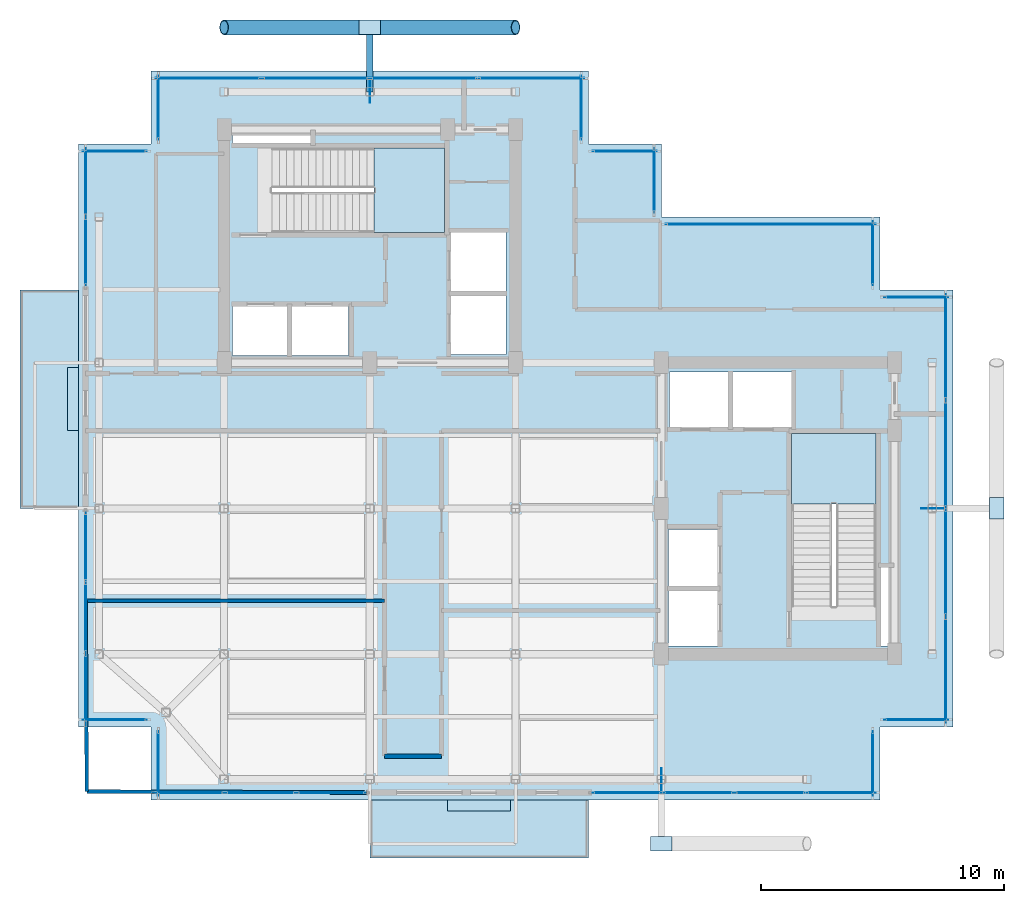
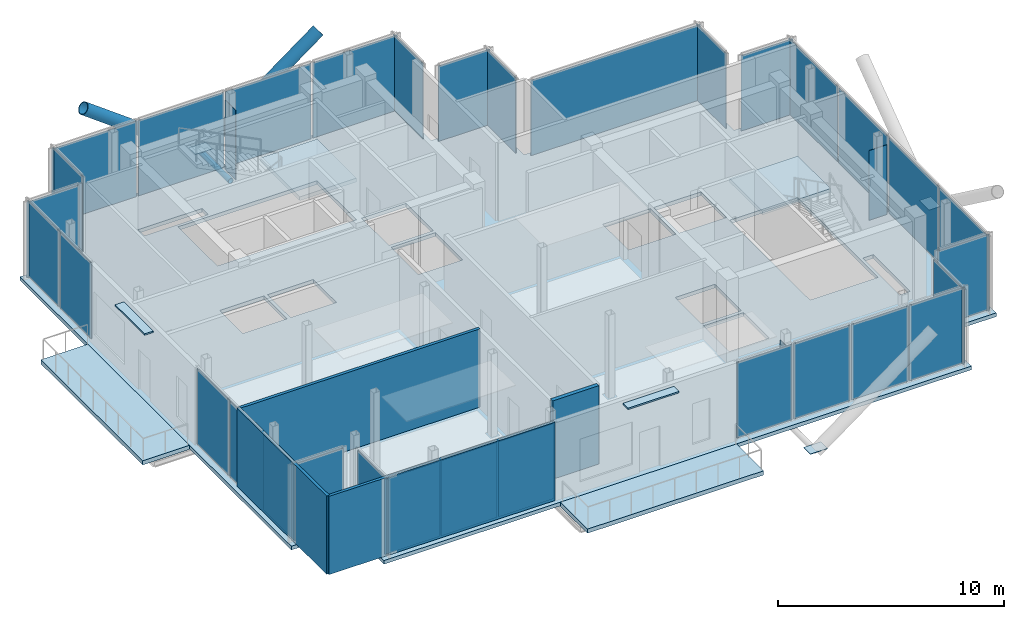
# One storey, part 11 of 16: 40 plates, 5 slabs, 4 walls, 3 members, 20 elements without a shape of their own.
"""IFC4 building model written with IfcOpenShell, lengths in metres."""

from ifc_helpers import new_model, si_unit, direction, frame, frame_2d, origin, origin_2d, place, context, subcontext, project, spatial, polyline, rectangle, hollow_circle, outline, extrude, material, layer, layer_set, material_profile, profile_set, type_object, element, aggregate, save


model = new_model("IFC4")

# Units and contexts
model_context = context("Model", 3, precision=1e-05, world=origin(), true_north=direction((0.0, 1.0)))
body_context = subcontext(model_context, "Body", "Model", "MODEL_VIEW")
ifc_project = project(units=[si_unit("LENGTHUNIT", "METRE"), si_unit("AREAUNIT", "SQUARE_METRE"), si_unit("VOLUMEUNIT", "CUBIC_METRE"), si_unit("PLANEANGLEUNIT", "RADIAN"), si_unit("MASSUNIT", "GRAM", prefix="KILO"), si_unit("THERMODYNAMICTEMPERATUREUNIT", "KELVIN"), si_unit("POWERUNIT", "WATT")], contexts=[model_context])

# Site, building, storey
site_placement = place(None, origin())
site = spatial("IfcSite", under=ifc_project, at=site_placement, CompositionType="ELEMENT")
building_placement = place(site_placement, origin())
building = spatial("IfcBuilding", under=site, at=building_placement, Name="Svarakhadi Broadcast Tower", CompositionType="ELEMENT")
storey_placement = place(building_placement, frame((0.0, 0.0, 296.39990234375)))
storey = spatial("IfcBuildingStorey", under=building, at=storey_placement, Name="L75", CompositionType="ELEMENT", Elevation=296.39990234375)

# Members
ifc_material_1 = material(Name="Steel S460ML (IS 2062 E450BR)", Category="steel")
ifc_material_profile_1 = material_profile(ifc_material_1, hollow_circle(Radius=0.304931640625, WallThickness=0.030029296875, at=origin_2d()), Name="CHS 610x30")
ifc_profile_set_1 = profile_set([ifc_material_profile_1], Name="Steel S460ML (IS 2062 E450BR)")
member_type_1 = type_object("IfcMemberType", Name="Exo_Brace_CHS610", PredefinedType="BRACE", material=ifc_profile_set_1)
for number, where, z_axis, x_axis, name in (
    (1, (12.0, 31.800048828125, -0.33642578125), (-0.804799780129, 0.0, 0.593546387323), (0.0, -1.0, 0.0), "L75 Exposed Bronze Exoskeleton Diagonal N04"),
    (2, (12.0, 31.800048828125, -0.33642578125), (0.804799780129, 0.0, 0.593546387323), (0.0, 1.0, 0.0), "L75 Exposed Bronze Exoskeleton Diagonal N05"),
):
    element("IfcMember", number, at=place(storey_placement, frame(where, z_axis=z_axis, x_axis=x_axis)), inside=storey, type_object=member_type_1, Name=name, PredefinedType="BRACE", context=body_context, shape_type="SweptSolid", body=[
        extrude(hollow_circle(Radius=0.304931640625, WallThickness=0.030029296875, at=origin_2d()), origin(), (0.0, 0.0, 1.0), 7.455322265625),
    ])
ifc_material_profile_2 = material_profile(ifc_material_1, hollow_circle(Radius=0.136474609375, WallThickness=0.012451171875, at=origin_2d()), Name="CHS 273x12.5")
ifc_profile_set_2 = profile_set([ifc_material_profile_2], Name="Steel S460ML (IS 2062 E450BR)")
member_type_2 = type_object("IfcMemberType", Name="Exo_Radial_Strut_Z3", PredefinedType="STRUT", material=ifc_profile_set_2)
member_placement = place(storey_placement, frame((12.0, 31.800048828125, -0.33642578125), z_axis=(0.0, -1.0, 0.0), x_axis=(1.0, 0.0, 0.0)))
element("IfcMember", 3, at=member_placement, inside=storey, type_object=member_type_2, Name="L75 Exoskeleton Radial Tie Strut N03", PredefinedType="STRUT", context=body_context, shape_type="SweptSolid", body=[
    extrude(hollow_circle(Radius=0.136474609375, WallThickness=0.012451171875, at=origin_2d()), origin(), (0.0, 0.0, 1.0), 2.650146484375),
])

# Curtain wall, plate
ifc_material_2 = material(Name="Anodised Bronze Aluminium AA 6063-T6", Category="aluminium")
ifc_layer_1 = layer(ifc_material_2, 0.239990234375)
ifc_layer_set_1 = layer_set([ifc_layer_1], Name="Anodised Bronze Aluminium AA 6063-T6")
curtain_wall_type = type_object("IfcCurtainWallType", Name="CW_Sys_06", PredefinedType="NOTDEFINED", material=ifc_layer_set_1)
curtain_wall_1_placement = place(storey_placement, origin())
curtain_wall_1 = element("IfcCurtainWall", 4, at=curtain_wall_1_placement, inside=storey, type_object=curtain_wall_type, Name="L75 Unitised Facade Curtain Wall 01", PredefinedType="NOTDEFINED")
ifc_material_3 = material(Name="Double Low-E Laminated Acoustic Glass IGU 36 mm", Category="glass")
ifc_layer_2 = layer(ifc_material_3, 0.0400390625)
ifc_layer_set_2 = layer_set([ifc_layer_2], Name="Double Low-E Laminated Acoustic Glass IGU 36 mm")
plate_type_1 = type_object("IfcPlateType", Name="CW_Sys_06_Pnl", PredefinedType="CURTAIN_PANEL", material=ifc_layer_set_2)
plate_1_placement = place(storey_placement, frame((1.5, 3.300048828125, 0.080078125), z_axis=(0.0, 0.0, 1.0), x_axis=(-1.0, 0.0, 0.0)))
plate_1 = element("IfcPlate", 5, at=plate_1_placement, type_object=plate_type_1, Name="CW-06 panel 1.1", PredefinedType="CURTAIN_PANEL", context=body_context, shape_type="SweptSolid", body=[
    extrude(rectangle(XDim=2.639892578125, YDim=0.0400390625, at=origin_2d()), origin(), (0.0, 0.0, 1.0), 4.06494140625),
])
aggregate(curtain_wall_1, [plate_1])

# Curtain wall, plates
curtain_wall_2_placement = place(storey_placement, origin())
curtain_wall_2 = element("IfcCurtainWall", 6, at=curtain_wall_2_placement, inside=storey, type_object=curtain_wall_type, Name="L75 West Curtain Wall 02", PredefinedType="NOTDEFINED")
plate_2_placement = place(storey_placement, frame((0.300048828125, 4.58251953125, 0.080078125), z_axis=(0.0, 0.0, 1.0), x_axis=(0.0, 1.0, 0.0)))
plate_2 = element("IfcPlate", 7, at=plate_2_placement, type_object=plate_type_1, Name="CW-06 panel 1.1", PredefinedType="CURTAIN_PANEL", context=body_context, shape_type="SweptSolid", body=[
    extrude(rectangle(XDim=2.804931640625, YDim=0.0400390625, at=origin_2d()), origin(), (0.0, 0.0, 1.0), 4.06494140625),
])
plate_3_placement = place(storey_placement, frame((0.300048828125, 7.5, 0.080078125), z_axis=(0.0, 0.0, 1.0), x_axis=(0.0, 1.0, 0.0)))
plate_3 = element("IfcPlate", 8, at=plate_3_placement, type_object=plate_type_1, Name="CW-06 panel 2.1", PredefinedType="CURTAIN_PANEL", context=body_context, shape_type="SweptSolid", body=[
    extrude(rectangle(XDim=2.85009765625, YDim=0.0400390625, at=origin_2d()), origin(), (0.0, 0.0, 1.0), 4.06494140625),
])
plate_4_placement = place(storey_placement, frame((0.300048828125, 10.41748046875, 0.080078125), z_axis=(0.0, 0.0, 1.0), x_axis=(0.0, 1.0, 0.0)))
plate_4 = element("IfcPlate", 9, at=plate_4_placement, type_object=plate_type_1, Name="CW-06 panel 3.1", PredefinedType="CURTAIN_PANEL", context=body_context, shape_type="SweptSolid", body=[
    extrude(rectangle(XDim=2.804931640625, YDim=0.0400390625, at=origin_2d()), origin(), (0.0, 0.0, 1.0), 4.06494140625),
])
aggregate(curtain_wall_2, [plate_2, plate_3, plate_4])

curtain_wall_3_placement = place(storey_placement, origin())
curtain_wall_3 = element("IfcCurtainWall", 10, at=curtain_wall_3_placement, inside=storey, type_object=curtain_wall_type, Name="L75 West Curtain Wall 03", PredefinedType="NOTDEFINED")
plate_5_placement = place(storey_placement, frame((0.300048828125, 22.5673828125, 0.080078125), z_axis=(0.0, 0.0, 1.0), x_axis=(0.0, 1.0, 0.0)))
plate_5 = element("IfcPlate", 11, at=plate_5_placement, type_object=plate_type_1, Name="CW-06 panel 1.1", PredefinedType="CURTAIN_PANEL", context=body_context, shape_type="SweptSolid", body=[
    extrude(rectangle(XDim=2.77490234375, YDim=0.0400390625, at=origin_2d()), origin(), (0.0, 0.0, 1.0), 4.06494140625),
])
plate_6_placement = place(storey_placement, frame((0.300048828125, 25.4326171875, 0.080078125), z_axis=(0.0, 0.0, 1.0), x_axis=(0.0, 1.0, 0.0)))
plate_6 = element("IfcPlate", 12, at=plate_6_placement, type_object=plate_type_1, Name="CW-06 panel 2.1", PredefinedType="CURTAIN_PANEL", context=body_context, shape_type="SweptSolid", body=[
    extrude(rectangle(XDim=2.77490234375, YDim=0.0400390625, at=origin_2d()), origin(), (0.0, 0.0, 1.0), 4.06494140625),
])
aggregate(curtain_wall_3, [plate_5, plate_6])

# Curtain wall, plate
curtain_wall_4_placement = place(storey_placement, origin())
curtain_wall_4 = element("IfcCurtainWall", 13, at=curtain_wall_4_placement, inside=storey, type_object=curtain_wall_type, Name="L75 Unitised Facade Curtain Wall 04", PredefinedType="NOTDEFINED")
plate_7_placement = place(storey_placement, frame((1.5, 26.699951171875, 0.080078125), z_axis=(0.0, 0.0, 1.0), x_axis=(1.0, 0.0, 0.0)))
plate_7 = element("IfcPlate", 14, at=plate_7_placement, type_object=plate_type_1, Name="CW-06 panel 1.1", PredefinedType="CURTAIN_PANEL", context=body_context, shape_type="SweptSolid", body=[
    extrude(rectangle(XDim=2.639892578125, YDim=0.0400390625, at=origin_2d()), origin(), (0.0, 0.0, 1.0), 4.06494140625),
])
aggregate(curtain_wall_4, [plate_7])

curtain_wall_5_placement = place(storey_placement, origin())
curtain_wall_5 = element("IfcCurtainWall", 15, at=curtain_wall_5_placement, inside=storey, type_object=curtain_wall_type, Name="L75 Unitised Facade Curtain Wall 05", PredefinedType="NOTDEFINED")
plate_8_placement = place(storey_placement, frame((3.300048828125, 28.5, 0.080078125), z_axis=(0.0, 0.0, 1.0), x_axis=(0.0, 1.0, 0.0)))
plate_8 = element("IfcPlate", 16, at=plate_8_placement, type_object=plate_type_1, Name="CW-06 panel 1.1", PredefinedType="CURTAIN_PANEL", context=body_context, shape_type="SweptSolid", body=[
    extrude(rectangle(XDim=2.639892578125, YDim=0.0400390625, at=origin_2d()), origin(), (0.0, 0.0, 1.0), 4.06494140625),
])
aggregate(curtain_wall_5, [plate_8])

# Curtain wall, plates
curtain_wall_6_placement = place(storey_placement, origin())
curtain_wall_6 = element("IfcCurtainWall", 17, at=curtain_wall_6_placement, inside=storey, type_object=curtain_wall_type, Name="L75 Unitised Facade Curtain Wall 06", PredefinedType="NOTDEFINED")
plate_9_placement = place(storey_placement, frame((5.340087890625, 29.699951171875, 0.080078125), z_axis=(0.0, 0.0, 1.0), x_axis=(1.0, 0.0, 0.0)))
plate_9 = element("IfcPlate", 18, at=plate_9_placement, type_object=plate_type_1, Name="CW-06 panel 1.1", PredefinedType="CURTAIN_PANEL", context=body_context, shape_type="SweptSolid", body=[
    extrude(rectangle(XDim=4.320068359375, YDim=0.0400390625, at=origin_2d()), origin(), (0.0, 0.0, 1.0), 4.06494140625),
])
plate_10_placement = place(storey_placement, frame((9.7724609375, 29.699951171875, 0.080078125), z_axis=(0.0, 0.0, 1.0), x_axis=(1.0, 0.0, 0.0)))
plate_10 = element("IfcPlate", 19, at=plate_10_placement, type_object=plate_type_1, Name="CW-06 panel 2.1", PredefinedType="CURTAIN_PANEL", context=body_context, shape_type="SweptSolid", body=[
    extrude(rectangle(XDim=4.364990234375, YDim=0.0400390625, at=origin_2d()), origin(), (0.0, 0.0, 1.0), 4.06494140625),
])
plate_11_placement = place(storey_placement, frame((14.2275390625, 29.699951171875, 0.080078125), z_axis=(0.0, 0.0, 1.0), x_axis=(1.0, 0.0, 0.0)))
plate_11 = element("IfcPlate", 20, at=plate_11_placement, type_object=plate_type_1, Name="CW-06 panel 3.1", PredefinedType="CURTAIN_PANEL", context=body_context, shape_type="SweptSolid", body=[
    extrude(rectangle(XDim=4.364990234375, YDim=0.0400390625, at=origin_2d()), origin(), (0.0, 0.0, 1.0), 4.06494140625),
])
plate_12_placement = place(storey_placement, frame((18.659912109375, 29.699951171875, 0.080078125), z_axis=(0.0, 0.0, 1.0), x_axis=(1.0, 0.0, 0.0)))
plate_12 = element("IfcPlate", 21, at=plate_12_placement, type_object=plate_type_1, Name="CW-06 panel 4.1", PredefinedType="CURTAIN_PANEL", context=body_context, shape_type="SweptSolid", body=[
    extrude(rectangle(XDim=4.320068359375, YDim=0.0400390625, at=origin_2d()), origin(), (0.0, 0.0, 1.0), 4.06494140625),
])
aggregate(curtain_wall_6, [plate_9, plate_10, plate_11, plate_12])

# Curtain wall, plate
curtain_wall_7_placement = place(storey_placement, origin())
curtain_wall_7 = element("IfcCurtainWall", 22, at=curtain_wall_7_placement, inside=storey, type_object=curtain_wall_type, Name="L75 Unitised Facade Curtain Wall 07", PredefinedType="NOTDEFINED")
plate_13_placement = place(storey_placement, frame((20.699951171875, 28.5, 0.080078125), z_axis=(0.0, 0.0, 1.0), x_axis=(0.0, -1.0, 0.0)))
plate_13 = element("IfcPlate", 23, at=plate_13_placement, type_object=plate_type_1, Name="CW-06 panel 1.1", PredefinedType="CURTAIN_PANEL", context=body_context, shape_type="SweptSolid", body=[
    extrude(rectangle(XDim=2.639892578125, YDim=0.0400390625, at=origin_2d()), origin(), (0.0, 0.0, 1.0), 4.06494140625),
])
aggregate(curtain_wall_7, [plate_13])

curtain_wall_8_placement = place(storey_placement, origin())
curtain_wall_8 = element("IfcCurtainWall", 24, at=curtain_wall_8_placement, inside=storey, type_object=curtain_wall_type, Name="L75 Unitised Facade Curtain Wall 08", PredefinedType="NOTDEFINED")
plate_14_placement = place(storey_placement, frame((22.5, 26.699951171875, 0.080078125), z_axis=(0.0, 0.0, 1.0), x_axis=(1.0, 0.0, 0.0)))
plate_14 = element("IfcPlate", 25, at=plate_14_placement, type_object=plate_type_1, Name="CW-06 panel 1.1", PredefinedType="CURTAIN_PANEL", context=body_context, shape_type="SweptSolid", body=[
    extrude(rectangle(XDim=2.639892578125, YDim=0.0400390625, at=origin_2d()), origin(), (0.0, 0.0, 1.0), 4.06494140625),
])
aggregate(curtain_wall_8, [plate_14])

curtain_wall_9_placement = place(storey_placement, origin())
curtain_wall_9 = element("IfcCurtainWall", 26, at=curtain_wall_9_placement, inside=storey, type_object=curtain_wall_type, Name="L75 Unitised Facade Curtain Wall 09", PredefinedType="NOTDEFINED")
plate_15_placement = place(storey_placement, frame((23.699951171875, 25.5, 0.080078125), z_axis=(0.0, 0.0, 1.0), x_axis=(0.0, -1.0, 0.0)))
plate_15 = element("IfcPlate", 27, at=plate_15_placement, type_object=plate_type_1, Name="CW-06 panel 1.1", PredefinedType="CURTAIN_PANEL", context=body_context, shape_type="SweptSolid", body=[
    extrude(rectangle(XDim=2.639892578125, YDim=0.0400390625, at=origin_2d()), origin(), (0.0, 0.0, 1.0), 4.06494140625),
])
aggregate(curtain_wall_9, [plate_15])

curtain_wall_10_placement = place(storey_placement, origin())
curtain_wall_10 = element("IfcCurtainWall", 28, at=curtain_wall_10_placement, inside=storey, type_object=curtain_wall_type, Name="L75 Unitised Facade Curtain Wall 10", PredefinedType="NOTDEFINED")
plate_16_placement = place(storey_placement, frame((28.5, 23.699951171875, 0.080078125), z_axis=(0.0, 0.0, 1.0), x_axis=(1.0, 0.0, 0.0)))
plate_16 = element("IfcPlate", 29, at=plate_16_placement, type_object=plate_type_1, Name="CW-06 panel 1.1", PredefinedType="CURTAIN_PANEL", context=body_context, shape_type="SweptSolid", body=[
    extrude(rectangle(XDim=8.639892578125, YDim=0.0400390625, at=origin_2d()), origin(), (0.0, 0.0, 1.0), 4.06494140625),
])
aggregate(curtain_wall_10, [plate_16])

curtain_wall_11_placement = place(storey_placement, origin())
curtain_wall_11 = element("IfcCurtainWall", 30, at=curtain_wall_11_placement, inside=storey, type_object=curtain_wall_type, Name="L75 Unitised Facade Curtain Wall 11", PredefinedType="NOTDEFINED")
plate_17_placement = place(storey_placement, frame((32.699951171875, 22.5, 0.080078125), z_axis=(0.0, 0.0, 1.0), x_axis=(0.0, -1.0, 0.0)))
plate_17 = element("IfcPlate", 31, at=plate_17_placement, type_object=plate_type_1, Name="CW-06 panel 1.1", PredefinedType="CURTAIN_PANEL", context=body_context, shape_type="SweptSolid", body=[
    extrude(rectangle(XDim=2.639892578125, YDim=0.0400390625, at=origin_2d()), origin(), (0.0, 0.0, 1.0), 4.06494140625),
])
aggregate(curtain_wall_11, [plate_17])

curtain_wall_12_placement = place(storey_placement, origin())
curtain_wall_12 = element("IfcCurtainWall", 32, at=curtain_wall_12_placement, inside=storey, type_object=curtain_wall_type, Name="L75 Unitised Facade Curtain Wall 12", PredefinedType="NOTDEFINED")
plate_18_placement = place(storey_placement, frame((34.5, 20.699951171875, 0.080078125), z_axis=(0.0, 0.0, 1.0), x_axis=(1.0, 0.0, 0.0)))
plate_18 = element("IfcPlate", 33, at=plate_18_placement, type_object=plate_type_1, Name="CW-06 panel 1.1", PredefinedType="CURTAIN_PANEL", context=body_context, shape_type="SweptSolid", body=[
    extrude(rectangle(XDim=2.639892578125, YDim=0.0400390625, at=origin_2d()), origin(), (0.0, 0.0, 1.0), 4.06494140625),
])
aggregate(curtain_wall_12, [plate_18])

# Curtain wall, plates
curtain_wall_13_placement = place(storey_placement, origin())
curtain_wall_13 = element("IfcCurtainWall", 34, at=curtain_wall_13_placement, inside=storey, type_object=curtain_wall_type, Name="L75 Unitised Facade Curtain Wall 13", PredefinedType="NOTDEFINED")
plate_19_placement = place(storey_placement, frame((35.699951171875, 18.659912109375, 0.080078125), z_axis=(0.0, 0.0, 1.0), x_axis=(0.0, -1.0, 0.0)))
plate_19 = element("IfcPlate", 35, at=plate_19_placement, type_object=plate_type_1, Name="CW-06 panel 1.1", PredefinedType="CURTAIN_PANEL", context=body_context, shape_type="SweptSolid", body=[
    extrude(rectangle(XDim=4.320068359375, YDim=0.0400390625, at=origin_2d()), origin(), (0.0, 0.0, 1.0), 4.06494140625),
])
plate_20_placement = place(storey_placement, frame((35.699951171875, 14.2275390625, 0.080078125), z_axis=(0.0, 0.0, 1.0), x_axis=(0.0, -1.0, 0.0)))
plate_20 = element("IfcPlate", 36, at=plate_20_placement, type_object=plate_type_1, Name="CW-06 panel 2.1", PredefinedType="CURTAIN_PANEL", context=body_context, shape_type="SweptSolid", body=[
    extrude(rectangle(XDim=4.364990234375, YDim=0.0400390625, at=origin_2d()), origin(), (0.0, 0.0, 1.0), 4.06494140625),
])
plate_21_placement = place(storey_placement, frame((35.699951171875, 9.7724609375, 0.080078125), z_axis=(0.0, 0.0, 1.0), x_axis=(0.0, -1.0, 0.0)))
plate_21 = element("IfcPlate", 37, at=plate_21_placement, type_object=plate_type_1, Name="CW-06 panel 3.1", PredefinedType="CURTAIN_PANEL", context=body_context, shape_type="SweptSolid", body=[
    extrude(rectangle(XDim=4.364990234375, YDim=0.0400390625, at=origin_2d()), origin(), (0.0, 0.0, 1.0), 4.06494140625),
])
plate_22_placement = place(storey_placement, frame((35.699951171875, 5.340087890625, 0.080078125), z_axis=(0.0, 0.0, 1.0), x_axis=(0.0, -1.0, 0.0)))
plate_22 = element("IfcPlate", 38, at=plate_22_placement, type_object=plate_type_1, Name="CW-06 panel 4.1", PredefinedType="CURTAIN_PANEL", context=body_context, shape_type="SweptSolid", body=[
    extrude(rectangle(XDim=4.320068359375, YDim=0.0400390625, at=origin_2d()), origin(), (0.0, 0.0, 1.0), 4.06494140625),
])
aggregate(curtain_wall_13, [plate_19, plate_20, plate_21, plate_22])

# Curtain wall, plate
curtain_wall_14_placement = place(storey_placement, origin())
curtain_wall_14 = element("IfcCurtainWall", 39, at=curtain_wall_14_placement, inside=storey, type_object=curtain_wall_type, Name="L75 Unitised Facade Curtain Wall 14", PredefinedType="NOTDEFINED")
plate_23_placement = place(storey_placement, frame((34.5, 3.300048828125, 0.080078125), z_axis=(0.0, 0.0, 1.0), x_axis=(-1.0, 0.0, 0.0)))
plate_23 = element("IfcPlate", 40, at=plate_23_placement, type_object=plate_type_1, Name="CW-06 panel 1.1", PredefinedType="CURTAIN_PANEL", context=body_context, shape_type="SweptSolid", body=[
    extrude(rectangle(XDim=2.639892578125, YDim=0.0400390625, at=origin_2d()), origin(), (0.0, 0.0, 1.0), 4.06494140625),
])
aggregate(curtain_wall_14, [plate_23])

curtain_wall_15_placement = place(storey_placement, origin())
curtain_wall_15 = element("IfcCurtainWall", 41, at=curtain_wall_15_placement, inside=storey, type_object=curtain_wall_type, Name="L75 Unitised Facade Curtain Wall 15", PredefinedType="NOTDEFINED")
plate_24_placement = place(storey_placement, frame((32.699951171875, 1.5, 0.080078125), z_axis=(0.0, 0.0, 1.0), x_axis=(0.0, -1.0, 0.0)))
plate_24 = element("IfcPlate", 42, at=plate_24_placement, type_object=plate_type_1, Name="CW-06 panel 1.1", PredefinedType="CURTAIN_PANEL", context=body_context, shape_type="SweptSolid", body=[
    extrude(rectangle(XDim=2.639892578125, YDim=0.0400390625, at=origin_2d()), origin(), (0.0, 0.0, 1.0), 4.06494140625),
])
aggregate(curtain_wall_15, [plate_24])

# Curtain wall, plates
curtain_wall_16_placement = place(storey_placement, origin())
curtain_wall_16 = element("IfcCurtainWall", 43, at=curtain_wall_16_placement, inside=storey, type_object=curtain_wall_type, Name="L75 South Curtain Wall 16", PredefinedType="NOTDEFINED")
plate_25_placement = place(storey_placement, frame((31.409912109375, 0.300048828125, 0.080078125), z_axis=(0.0, 0.0, 1.0), x_axis=(-1.0, 0.0, 0.0)))
plate_25 = element("IfcPlate", 44, at=plate_25_placement, type_object=plate_type_1, Name="CW-06 panel 1.1", PredefinedType="CURTAIN_PANEL", context=body_context, shape_type="SweptSolid", body=[
    extrude(rectangle(XDim=2.820068359375, YDim=0.0400390625, at=origin_2d()), origin(), (0.0, 0.0, 1.0), 4.06494140625),
])
plate_26_placement = place(storey_placement, frame((28.4775390625, 0.300048828125, 0.080078125), z_axis=(0.0, 0.0, 1.0), x_axis=(-1.0, 0.0, 0.0)))
plate_26 = element("IfcPlate", 45, at=plate_26_placement, type_object=plate_type_1, Name="CW-06 panel 2.1", PredefinedType="CURTAIN_PANEL", context=body_context, shape_type="SweptSolid", body=[
    extrude(rectangle(XDim=2.864990234375, YDim=0.0400390625, at=origin_2d()), origin(), (0.0, 0.0, 1.0), 4.06494140625),
])
plate_27_placement = place(storey_placement, frame((25.5224609375, 0.300048828125, 0.080078125), z_axis=(0.0, 0.0, 1.0), x_axis=(-1.0, 0.0, 0.0)))
plate_27 = element("IfcPlate", 46, at=plate_27_placement, type_object=plate_type_1, Name="CW-06 panel 3.1", PredefinedType="CURTAIN_PANEL", context=body_context, shape_type="SweptSolid", body=[
    extrude(rectangle(XDim=2.864990234375, YDim=0.0400390625, at=origin_2d()), origin(), (0.0, 0.0, 1.0), 4.06494140625),
])
plate_28_placement = place(storey_placement, frame((22.590087890625, 0.300048828125, 0.080078125), z_axis=(0.0, 0.0, 1.0), x_axis=(-1.0, 0.0, 0.0)))
plate_28 = element("IfcPlate", 47, at=plate_28_placement, type_object=plate_type_1, Name="CW-06 panel 4.1", PredefinedType="CURTAIN_PANEL", context=body_context, shape_type="SweptSolid", body=[
    extrude(rectangle(XDim=2.820068359375, YDim=0.0400390625, at=origin_2d()), origin(), (0.0, 0.0, 1.0), 4.06494140625),
])
aggregate(curtain_wall_16, [plate_25, plate_26, plate_27, plate_28])

curtain_wall_17_placement = place(storey_placement, origin())
curtain_wall_17 = element("IfcCurtainWall", 48, at=curtain_wall_17_placement, inside=storey, type_object=curtain_wall_type, Name="L75 South Curtain Wall 17", PredefinedType="NOTDEFINED")
plate_29_placement = place(storey_placement, frame((10.41748046875, 0.300048828125, 0.080078125), z_axis=(0.0, 0.0, 1.0), x_axis=(-1.0, 0.0, 0.0)))
plate_29 = element("IfcPlate", 49, at=plate_29_placement, type_object=plate_type_1, Name="CW-06 panel 1.1", PredefinedType="CURTAIN_PANEL", context=body_context, shape_type="SweptSolid", body=[
    extrude(rectangle(XDim=2.804931640625, YDim=0.0400390625, at=origin_2d()), origin(), (0.0, 0.0, 1.0), 4.06494140625),
])
plate_30_placement = place(storey_placement, frame((7.5, 0.300048828125, 0.080078125), z_axis=(0.0, 0.0, 1.0), x_axis=(-1.0, 0.0, 0.0)))
plate_30 = element("IfcPlate", 50, at=plate_30_placement, type_object=plate_type_1, Name="CW-06 panel 2.1", PredefinedType="CURTAIN_PANEL", context=body_context, shape_type="SweptSolid", body=[
    extrude(rectangle(XDim=2.85009765625, YDim=0.0400390625, at=origin_2d()), origin(), (0.0, 0.0, 1.0), 4.06494140625),
])
plate_31_placement = place(storey_placement, frame((4.58251953125, 0.300048828125, 0.080078125), z_axis=(0.0, 0.0, 1.0), x_axis=(-1.0, 0.0, 0.0)))
plate_31 = element("IfcPlate", 51, at=plate_31_placement, type_object=plate_type_1, Name="CW-06 panel 3.1", PredefinedType="CURTAIN_PANEL", context=body_context, shape_type="SweptSolid", body=[
    extrude(rectangle(XDim=2.804931640625, YDim=0.0400390625, at=origin_2d()), origin(), (0.0, 0.0, 1.0), 4.06494140625),
])
aggregate(curtain_wall_17, [plate_29, plate_30, plate_31])

# Curtain wall, plate
curtain_wall_18_placement = place(storey_placement, origin())
curtain_wall_18 = element("IfcCurtainWall", 52, at=curtain_wall_18_placement, inside=storey, type_object=curtain_wall_type, Name="L75 Unitised Facade Curtain Wall 18", PredefinedType="NOTDEFINED")
plate_32_placement = place(storey_placement, frame((3.300048828125, 1.5, 0.080078125), z_axis=(0.0, 0.0, 1.0), x_axis=(0.0, 1.0, 0.0)))
plate_32 = element("IfcPlate", 53, at=plate_32_placement, type_object=plate_type_1, Name="CW-06 panel 1.1", PredefinedType="CURTAIN_PANEL", context=body_context, shape_type="SweptSolid", body=[
    extrude(rectangle(XDim=2.639892578125, YDim=0.0400390625, at=origin_2d()), origin(), (0.0, 0.0, 1.0), 4.06494140625),
])
aggregate(curtain_wall_18, [plate_32])

# Plates
ifc_layer_3 = layer(ifc_material_1, 0.02490234375)
ifc_layer_set_3 = layer_set([ifc_layer_3], Name="Steel S460ML (IS 2062 E450BR)")
plate_type_2 = type_object("IfcPlateType", Name="Node_Gusset_N05", PredefinedType="SHEET", material=ifc_layer_set_3)
for number, where, z_axis, x_axis, name in (
    (54, (24.0, -1.800048828125, -0.199951171875), (0.0, 0.0, 1.0), (1.0, 0.0, 0.0), "L75 Exoskeleton Gusset Node Plate S01"),
    (55, (37.800048828125, 12.0, -0.199951171875), (0.0, 0.0, 1.0), (0.0, 1.0, 0.0), "L75 Exoskeleton Gusset Node Plate E02"),
    (56, (12.0, 31.800048828125, -0.199951171875), (0.0, 0.0, 1.0), (1.0, 0.0, 0.0), "L75 Exoskeleton Gusset Node Plate N03"),
):
    element("IfcPlate", number, at=place(storey_placement, frame(where, z_axis=z_axis, x_axis=x_axis)), inside=storey, type_object=plate_type_2, Name=name, PredefinedType="SHEET", context=body_context, shape_type="SweptSolid", body=[
        extrude(rectangle(XDim=0.8798828125, YDim=0.60009765625, at=origin_2d()), origin(), (0.0, 0.0, 1.0), 0.02490234375),
    ])
ifc_layer_4 = layer(ifc_material_1, 0.02587890625)
ifc_layer_set_4 = layer_set([ifc_layer_4], Name="Steel S460ML (IS 2062 E450BR)")
plate_type_3 = type_object("IfcPlateType", Name="Node_Gusset_N07", PredefinedType="SHEET", material=ifc_layer_set_4)
for number, where, z_axis, x_axis, name in (
    (57, (24.0, 0.85009765625, -0.53662109375), (0.0, 0.0, 1.0), (0.0, 1.0, 0.0), "L75 Brace End Connection Gusset Plate N-07-E0578"),
    (58, (35.14990234375, 12.0, -0.53662109375), (0.0, 0.0, 1.0), (1.0, 0.0, 0.0), "L75 Brace End Connection Gusset Plate N-07-E0579"),
    (59, (12.0, 29.14990234375, -0.53662109375), (0.0, 0.0, 1.0), (0.0, 1.0, 0.0), "L75 Brace End Connection Gusset Plate N-07-E0580"),
):
    element("IfcPlate", number, at=place(storey_placement, frame(where, z_axis=z_axis, x_axis=x_axis)), inside=storey, type_object=plate_type_3, Name=name, PredefinedType="SHEET", context=body_context, shape_type="SweptSolid", body=[
        extrude(rectangle(XDim=0.919921875, YDim=0.02587890625, at=origin_2d()), origin(), (0.0, 0.0, 1.0), 4.300048828125),
    ])

# Slab
ifc_material_4 = material(Name="Concrete C40/50 (IS 456 M50)", Category="concrete")
ifc_layer_5 = layer(ifc_material_4, 0.199951171875)
ifc_layer_set_5 = layer_set([ifc_layer_5], Name="Concrete C40/50 (IS 456 M50)")
slab_type_1 = type_object("IfcSlabType", Name="Slab_Floor_200", PredefinedType="FLOOR", material=ifc_layer_set_5)
slab_1_placement = place(storey_placement, frame((0.0, 0.0, -0.199951171875)))
element("IfcSlab", 60, at=slab_1_placement, inside=storey, type_object=slab_type_1, Name="L75 Structural Floor Slab", PredefinedType="FLOOR", context=body_context, shape_type="SweptSolid", body=[
    extrude(outline(polyline([(3.0, 0.0), (33.0, 0.0), (33.0, 3.0), (36.0, 3.0), (36.0, 21.0), (33.0, 21.0), (33.0, 24.0), (24.0, 24.0), (24.0, 27.0), (21.0, 27.0), (21.0, 30.0), (3.0, 30.0), (3.0, 27.0), (0.0, 27.0), (0.0, 3.0), (3.0, 3.0), (3.0, 0.0)]), holes=[polyline([(7.97998046875, 23.360107421875), (15.080078125, 23.360107421875), (15.080078125, 26.840087890625), (7.97998046875, 26.840087890625), (7.97998046875, 23.360107421875)]), polyline([(32.840087890625, 7.97998046875), (32.840087890625, 15.080078125), (29.360107421875, 15.080078125), (29.360107421875, 7.97998046875), (32.840087890625, 7.97998046875)]), polyline([(6.340087890625, 18.2900390625), (8.610107421875, 18.2900390625), (8.610107421875, 20.330078125), (6.340087890625, 20.330078125), (6.340087890625, 18.2900390625)]), polyline([(8.7900390625, 18.2900390625), (11.1298828125, 18.2900390625), (11.1298828125, 20.330078125), (8.7900390625, 20.330078125), (8.7900390625, 18.2900390625)]), polyline([(24.2900390625, 6.340087890625), (26.330078125, 6.340087890625), (26.330078125, 8.610107421875), (24.2900390625, 8.610107421875), (24.2900390625, 6.340087890625)]), polyline([(24.2900390625, 8.7900390625), (26.330078125, 8.7900390625), (26.330078125, 11.1298828125), (24.2900390625, 11.1298828125), (24.2900390625, 8.7900390625)]), polyline([(6.340087890625, 26.989990234375), (9.610107421875, 26.989990234375), (9.610107421875, 27.530029296875), (6.340087890625, 27.530029296875), (6.340087890625, 26.989990234375)]), polyline([(32.989990234375, 6.340087890625), (33.530029296875, 6.340087890625), (33.530029296875, 9.610107421875), (32.989990234375, 9.610107421875), (32.989990234375, 6.340087890625)]), polyline([(15.340087890625, 18.340087890625), (17.610107421875, 18.340087890625), (17.610107421875, 20.760009765625), (15.340087890625, 20.760009765625), (15.340087890625, 18.340087890625)]), polyline([(15.340087890625, 20.93994140625), (17.610107421875, 20.93994140625), (17.610107421875, 23.360107421875), (15.340087890625, 23.360107421875), (15.340087890625, 20.93994140625)]), polyline([(24.340087890625, 15.340087890625), (26.760009765625, 15.340087890625), (26.760009765625, 17.610107421875), (24.340087890625, 17.610107421875), (24.340087890625, 15.340087890625)]), polyline([(26.93994140625, 15.340087890625), (29.360107421875, 15.340087890625), (29.360107421875, 17.610107421875), (26.93994140625, 17.610107421875), (26.93994140625, 15.340087890625)])]), origin(), (0.0, 0.0, 1.0), 0.199951171875),
])

# Stair, slab
stair_type = type_object("IfcStairType", Name="Stair_Exit_Core", PredefinedType="HALF_TURN_STAIR", material=ifc_material_4)
stair_1_placement = place(storey_placement, origin())
stair_1 = element("IfcStair", 61, at=stair_1_placement, inside=storey, type_object=stair_type, Name="L75 West Core Protected Exit Stair ST-01", PredefinedType="HALF_TURN_STAIR")
ifc_layer_6 = layer(ifc_material_4, 0.199951171875)
ifc_layer_set_6 = layer_set([ifc_layer_6], Name="Concrete C40/50 (IS 456 M50)")
slab_type_2 = type_object("IfcSlabType", Name="Slab_Stair_Land", PredefinedType="LANDING", material=ifc_layer_set_6)
slab_2_placement = place(storey_placement, frame((0.0, 0.0, 2.050048828125)))
slab_2 = element("IfcSlab", 62, at=slab_2_placement, type_object=slab_type_2, Name="ST-01 landing 1", PredefinedType="LANDING", context=body_context, shape_type="SweptSolid", body=[
    extrude(outline(polyline([(12.179931640625, 23.360107421875), (15.080078125, 23.360107421875), (15.080078125, 26.840087890625), (12.179931640625, 26.840087890625), (12.179931640625, 23.360107421875)])), origin(), (0.0, 0.0, 1.0), 0.199951171875),
])
aggregate(stair_1, [slab_2])

stair_2_placement = place(storey_placement, origin())
stair_2 = element("IfcStair", 63, at=stair_2_placement, inside=storey, type_object=stair_type, Name="L75 East Core Protected Exit Stair ST-02", PredefinedType="HALF_TURN_STAIR")
slab_3_placement = place(storey_placement, frame((0.0, 0.0, 2.050048828125)))
slab_3 = element("IfcSlab", 64, at=slab_3_placement, type_object=slab_type_2, Name="ST-02 landing 1", PredefinedType="LANDING", context=body_context, shape_type="SweptSolid", body=[
    extrude(outline(polyline([(32.840087890625, 12.179931640625), (32.840087890625, 15.080078125), (29.360107421875, 15.080078125), (29.360107421875, 12.179931640625), (32.840087890625, 12.179931640625)])), origin(), (0.0, 0.0, 1.0), 0.199951171875),
])
aggregate(stair_2, [slab_3])

# Slabs
ifc_layer_7 = layer(ifc_material_4, 0.22509765625)
ifc_layer_set_7 = layer_set([ifc_layer_7], Name="Concrete C40/50 (IS 456 M50)")
slab_type_3 = type_object("IfcSlabType", Name="Slab_TreeBalcony", PredefinedType="FLOOR", material=ifc_layer_set_7)
slab_4_placement = place(storey_placement, frame((0.0, 0.0, -0.224853515625)))
element("IfcSlab", 65, at=slab_4_placement, inside=storey, type_object=slab_type_3, Name="L75 Planted Tree Balcony Slab BAL-S", PredefinedType="FLOOR", context=body_context, shape_type="SweptSolid", body=[
    extrude(outline(polyline([(12.0, -2.39990234375), (21.0, -2.39990234375), (21.0, 0.0), (12.0, 0.0), (12.0, -2.39990234375)])), origin(), (0.0, 0.0, 1.0), 0.224853515625),
])
slab_5_placement = place(storey_placement, frame((0.0, 0.0, -0.224853515625)))
element("IfcSlab", 66, at=slab_5_placement, inside=storey, type_object=slab_type_3, Name="L75 Planted Tree Balcony Slab BAL-W", PredefinedType="FLOOR", context=body_context, shape_type="SweptSolid", body=[
    extrude(outline(polyline([(-2.39990234375, 12.0), (0.0, 12.0), (0.0, 21.0), (-2.39990234375, 21.0), (-2.39990234375, 12.0)])), origin(), (0.0, 0.0, 1.0), 0.224853515625),
])

# Plates
ifc_layer_8 = layer(ifc_material_2, 0.080078125)
ifc_layer_set_8 = layer_set([ifc_layer_8], Name="Anodised Bronze Aluminium AA 6063-T6")
plate_type_4 = type_object("IfcPlateType", Name="Sunshade_Fin_SS01", PredefinedType="USERDEFINED", material=ifc_layer_set_8)
for number, where, z_axis, x_axis, name in (
    (67, (16.5, -0.22509765625, 4.14501953125), (0.0, 0.0, 1.0), (1.0, 0.0, 0.0), "L75 South Bronze Brise-Soleil Sunshade SS-01"),
    (68, (-0.22509765625, 16.5, 4.14501953125), (0.0, 0.0, 1.0), (0.0, 1.0, 0.0), "L75 West Bronze Brise-Soleil Sunshade SS-01"),
):
    element("IfcPlate", number, at=place(storey_placement, frame(where, z_axis=z_axis, x_axis=x_axis)), inside=storey, type_object=plate_type_4, Name=name, ObjectType="SUNSHADE", PredefinedType="USERDEFINED", context=body_context, shape_type="SweptSolid", body=[
        extrude(rectangle(XDim=2.60009765625, YDim=0.449951171875, at=origin_2d()), origin(), (0.0, 0.0, 1.0), 0.080078125),
    ])

# Walls
ifc_layer_9 = layer(ifc_material_4, 0.199951171875)
ifc_layer_set_9 = layer_set([ifc_layer_9], Name="Concrete C40/50 (IS 456 M50)")
wall_type_1 = type_object("IfcWallType", Name="Wall_Fire_200", PredefinedType="SOLIDWALL", material=ifc_layer_set_9)
wall_1_placement = place(storey_placement, frame((14.949951171875, 1.800048828125, 0.0), z_axis=(0.0, 0.0, 1.0), x_axis=(-1.0, 0.0, 0.0)))
element("IfcWall", 69, at=wall_1_placement, inside=storey, type_object=wall_type_1, Name="L75 Upper Tower Concourse Wall", PredefinedType="SOLIDWALL", context=body_context, shape_type="SweptSolid", body=[
    extrude(rectangle(XDim=2.349853515625, YDim=0.199951171875, at=frame_2d((1.1748046875, 0.0))), origin(), (0.0, 0.0, 1.0), 4.22509765625),
])
ifc_material_5 = material(Name="Autoclaved Aerated Concrete Blockwork 150 mm", Category="masonry")
ifc_layer_10 = layer(ifc_material_5, 0.14990234375)
ifc_layer_set_10 = layer_set([ifc_layer_10], Name="Autoclaved Aerated Concrete Blockwork 150 mm")
wall_type_2 = type_object("IfcWallType", Name="Wall_Part_150", PredefinedType="PARTITIONING", material=ifc_layer_set_10)
wall_2_placement = place(storey_placement, frame((0.35009765625, 0.35009765625, 0.0), z_axis=(0.0, 0.0, 1.0), x_axis=(0.999991613227, -0.004095543276, 0.0)))
element("IfcWall", 70, at=wall_2_placement, inside=storey, type_object=wall_type_2, Name="L75 Public 360-Degree Harbour Viewing Deck Wall", PredefinedType="PARTITIONING", context=body_context, shape_type="SweptSolid", body=[
    extrude(rectangle(XDim=11.5048828125, YDim=0.14990234375, at=frame_2d((5.75244140625, 0.0))), origin(), (0.0, 0.0, 1.0), 4.22509765625),
])
wall_3_placement = place(storey_placement, frame((0.300048828125, 8.199951171875, 0.0), z_axis=(0.0, 0.0, 1.0), x_axis=(1.0, 0.0, 0.0)))
element("IfcWall", 71, at=wall_3_placement, inside=storey, type_object=wall_type_2, Name="L75 Public 360-Degree Harbour Viewing Deck Wall", PredefinedType="PARTITIONING", context=body_context, shape_type="SweptSolid", body=[
    extrude(rectangle(XDim=12.300048828125, YDim=0.14990234375, at=frame_2d((6.14990234375, 0.0))), origin(), (0.0, 0.0, 1.0), 4.22509765625),
])
wall_4_placement = place(storey_placement, frame((0.35009765625, 0.35009765625, 0.0), z_axis=(0.0, 0.0, 1.0), x_axis=(-0.006375636285, 0.999979675424, 0.0)))
element("IfcWall", 72, at=wall_4_placement, inside=storey, type_object=wall_type_2, Name="L75 Public 360-Degree Harbour Viewing Deck Wall", PredefinedType="PARTITIONING", context=body_context, shape_type="SweptSolid", body=[
    extrude(rectangle(XDim=7.85009765625, YDim=0.14990234375, at=frame_2d((3.925048828125, 0.0))), origin(), (0.0, 0.0, 1.0), 4.22509765625),
])

save(model, "model.ifc")
